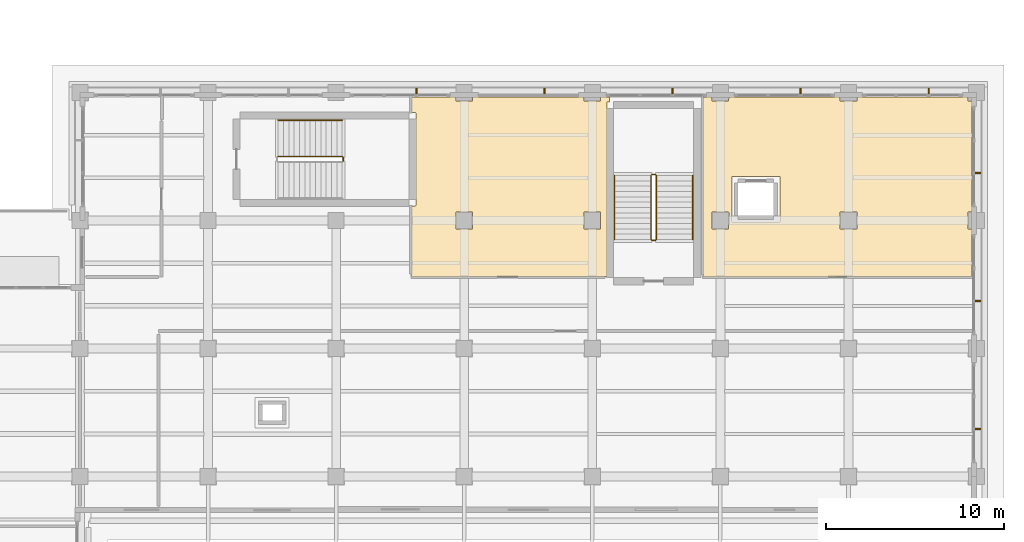
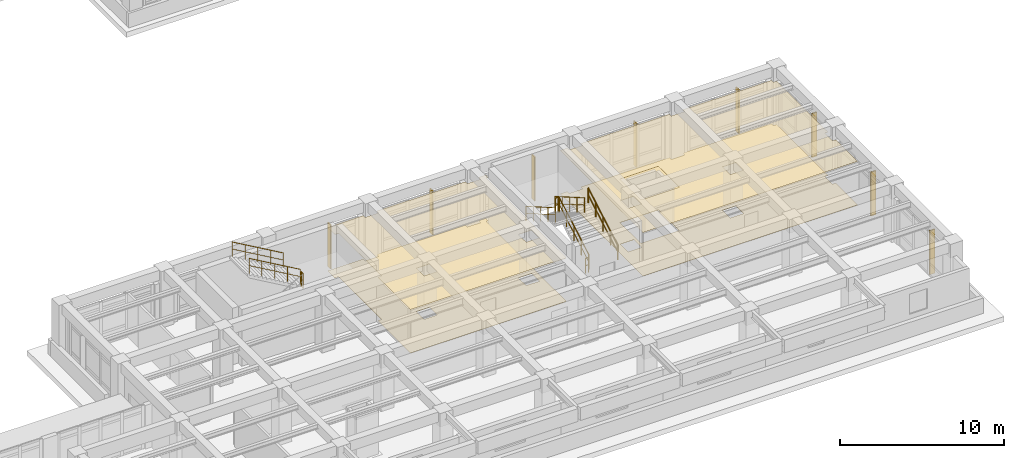
# One storey, part 68 of 69: 9 railings, 8 shading devices, 4 coverings.
"""IFC4 building model written with IfcOpenShell, lengths in metres."""

from ifc_helpers import new_model, si_unit, direction, frame, origin, origin_2d, place, context, subcontext, project, spatial, polyline, rectangle, circle, outline, extrude, material, layer, layer_set, material_profile, profile_set, type_object, element, save


model = new_model("IFC4")

# Units and contexts
model_context = context("Model", 3, precision=1e-05, world=origin(), true_north=direction((0.0, 1.0)))
body_context = subcontext(model_context, "Body", "Model", "MODEL_VIEW")
ifc_project = project(units=[si_unit("LENGTHUNIT", "METRE"), si_unit("AREAUNIT", "SQUARE_METRE"), si_unit("VOLUMEUNIT", "CUBIC_METRE"), si_unit("PLANEANGLEUNIT", "RADIAN"), si_unit("MASSUNIT", "GRAM", prefix="KILO")], contexts=[model_context])

# Site, building, storey
site_placement = place(None, origin())
site = spatial("IfcSite", under=ifc_project, at=site_placement, CompositionType="ELEMENT")
building_placement = place(site_placement, origin())
building = spatial("IfcBuilding", under=site, at=building_placement, Name="Solenvale Faculty of Natural Sciences", CompositionType="ELEMENT")
storey_placement = place(building_placement, frame((0.0, 0.0, 4.5)))
storey = spatial("IfcBuildingStorey", under=building, at=storey_placement, Name="L01", CompositionType="ELEMENT", Elevation=4.5)

# Coverings
ifc_material_1 = material(Name="Acoustic mineral-timber ceiling", Category="wood")
ifc_layer_1 = layer(ifc_material_1, 0.02490234375)
ifc_layer_set_1 = layer_set([ifc_layer_1], Name="Acoustic mineral-timber ceiling")
covering_type_1 = type_object("IfcCoveringType", Name="COV-CEIL-AC25", PredefinedType="CEILING", material=ifc_layer_set_1)
covering_1_placement = place(storey_placement, frame((0.0, 0.0, 3.235107421875)))
element("IfcCovering", 1, at=covering_1_placement, inside=storey, type_object=covering_type_1, Name="L01 Science Library Reference Reading Hall Acoustic Ceiling", PredefinedType="CEILING", context=body_context, shape_type="SweptSolid", body=[
    extrude(outline(polyline([(133.820068359375, 51.18994140625), (133.846923828125, 51.219970703125), (134.056884765625, 51.220947265625), (134.080078125, 51.25), (134.080078125, 56.450927734375), (134.054931640625, 56.47998046875), (133.846923828125, 56.47998046875), (133.821044921875, 56.5009765625), (133.820068359375, 57.330078125), (133.8359375, 57.35595703125), (136.298095703125, 57.360107421875), (136.323974609375, 57.3359375), (136.324951171875, 57.134033203125), (136.3359375, 57.125), (137.26708984375, 57.125), (137.27587890625, 57.3359375), (137.304931640625, 57.360107421875), (143.4951171875, 57.360107421875), (143.52392578125, 57.3359375), (143.52490234375, 57.134033203125), (143.535888671875, 57.125), (144.467041015625, 57.125), (144.47509765625, 57.3330078125), (144.493896484375, 57.35791015625), (144.949951171875, 57.360107421875), (144.97607421875, 57.343994140625), (144.97607421875, 57.095947265625), (144.952880859375, 57.080078125), (144.842041015625, 57.0791015625), (144.820068359375, 57.050048828125), (144.820068359375, 47.27001953125), (144.803955078125, 47.243896484375), (133.839111328125, 47.241943359375), (133.820068359375, 47.27001953125), (133.820068359375, 51.18994140625)]), holes=[polyline([(143.535888671875, 50.875), (143.52490234375, 50.864013671875), (143.528076171875, 49.927978515625), (144.471923828125, 49.927978515625), (144.471923828125, 50.8720703125), (143.535888671875, 50.875)]), polyline([(136.3359375, 50.875), (136.324951171875, 50.864013671875), (136.327880859375, 49.927978515625), (137.27197265625, 49.927978515625), (137.27197265625, 50.8720703125), (136.3359375, 50.875)])]), origin(), (0.0, 0.0, 1.0), 0.02490234375),
])
covering_2_placement = place(storey_placement, frame((0.0, 0.0, 3.235107421875)))
element("IfcCovering", 2, at=covering_2_placement, inside=storey, type_object=covering_type_1, Name="L01 Faculty Staff Office Acoustic Ceiling", PredefinedType="CEILING", context=body_context, shape_type="SweptSolid", body=[
    extrude(outline(polyline([(150.25, 47.239990234375), (150.22900390625, 47.2490234375), (150.219970703125, 47.27001953125), (150.219970703125, 57.330078125), (150.23291015625, 57.35498046875), (150.7060546875, 57.35791015625), (150.72509765625, 57.3330078125), (150.72509765625, 57.134033203125), (150.736083984375, 57.125), (151.6669921875, 57.125), (151.676025390625, 57.3359375), (151.705078125, 57.360107421875), (157.89501953125, 57.360107421875), (157.924072265625, 57.3359375), (157.93310546875, 57.125), (158.864013671875, 57.125), (158.875, 57.134033203125), (158.8759765625, 57.3359375), (158.905029296875, 57.360107421875), (165.094970703125, 57.360107421875), (165.125, 57.3330078125), (165.1279296875, 57.1279296875), (165.3330078125, 57.125), (165.35498046875, 57.112060546875), (165.360107421875, 50.905029296875), (165.3359375, 50.8759765625), (165.134033203125, 50.875), (165.125, 50.864013671875), (165.125, 49.93310546875), (165.3359375, 49.924072265625), (165.360107421875, 49.89794921875), (165.360107421875, 47.27001953125), (165.346923828125, 47.2451171875), (150.25, 47.239990234375)]), holes=[polyline([(157.93603515625, 50.875), (157.925048828125, 50.864013671875), (157.927978515625, 49.927978515625), (158.8720703125, 49.927978515625), (158.8720703125, 50.8720703125), (157.93603515625, 50.875)]), polyline([(154.554931640625, 52.85205078125), (154.544921875, 52.8720703125), (154.52490234375, 52.8798828125), (151.85498046875, 52.8720703125), (151.844970703125, 52.85009765625), (151.85302734375, 50.330078125), (151.875, 50.320068359375), (154.544921875, 50.327880859375), (154.554931640625, 50.35009765625), (154.554931640625, 52.85205078125)]), polyline([(151.675048828125, 50.864013671875), (151.6640625, 50.875), (150.72802734375, 50.8720703125), (150.72802734375, 49.927978515625), (151.672119140625, 49.927978515625), (151.675048828125, 50.864013671875)])]), origin(), (0.0, 0.0, 1.0), 0.02490234375),
])
ifc_material_2 = material(Name="Polished slate terrazzo flooring", Category="masonry")
ifc_layer_2 = layer(ifc_material_2, 0.01806640625)
ifc_layer_set_2 = layer_set([ifc_layer_2], Name="Polished slate terrazzo flooring")
covering_type_2 = type_object("IfcCoveringType", Name="COV-FLR-TRZ18", PredefinedType="FLOORING", material=ifc_layer_set_2)
covering_3_placement = place(storey_placement, origin())
element("IfcCovering", 3, at=covering_3_placement, inside=storey, type_object=covering_type_2, Name="L01 Science Library Reference Reading Hall Floor Finish", PredefinedType="FLOORING", context=body_context, shape_type="SweptSolid", body=[
    extrude(outline(polyline([(133.820068359375, 51.18994140625), (133.846923828125, 51.219970703125), (134.056884765625, 51.220947265625), (134.080078125, 51.25), (134.080078125, 56.450927734375), (134.054931640625, 56.47998046875), (133.846923828125, 56.47998046875), (133.821044921875, 56.5009765625), (133.820068359375, 57.330078125), (133.8359375, 57.35595703125), (136.298095703125, 57.360107421875), (136.323974609375, 57.3359375), (136.324951171875, 57.134033203125), (136.3359375, 57.125), (137.26708984375, 57.125), (137.27587890625, 57.3359375), (137.304931640625, 57.360107421875), (143.4951171875, 57.360107421875), (143.52392578125, 57.3359375), (143.52490234375, 57.134033203125), (143.535888671875, 57.125), (144.467041015625, 57.125), (144.47509765625, 57.3330078125), (144.493896484375, 57.35791015625), (144.949951171875, 57.360107421875), (144.97607421875, 57.343994140625), (144.97607421875, 57.095947265625), (144.952880859375, 57.080078125), (144.842041015625, 57.0791015625), (144.820068359375, 57.050048828125), (144.820068359375, 47.27001953125), (144.803955078125, 47.243896484375), (133.839111328125, 47.241943359375), (133.820068359375, 47.27001953125), (133.820068359375, 51.18994140625)]), holes=[polyline([(143.535888671875, 50.875), (143.52490234375, 50.864013671875), (143.528076171875, 49.927978515625), (144.471923828125, 49.927978515625), (144.471923828125, 50.8720703125), (143.535888671875, 50.875)]), polyline([(136.3359375, 50.875), (136.324951171875, 50.864013671875), (136.327880859375, 49.927978515625), (137.27197265625, 49.927978515625), (137.27197265625, 50.8720703125), (136.3359375, 50.875)])]), origin(), (0.0, 0.0, 1.0), 0.01806640625),
])
covering_4_placement = place(storey_placement, origin())
element("IfcCovering", 4, at=covering_4_placement, inside=storey, type_object=covering_type_2, Name="L01 Faculty Staff Office Floor Finish", PredefinedType="FLOORING", context=body_context, shape_type="SweptSolid", body=[
    extrude(outline(polyline([(150.25, 47.239990234375), (150.22900390625, 47.2490234375), (150.219970703125, 47.27001953125), (150.219970703125, 57.330078125), (150.23291015625, 57.35498046875), (150.7060546875, 57.35791015625), (150.72509765625, 57.3330078125), (150.72509765625, 57.134033203125), (150.736083984375, 57.125), (151.6669921875, 57.125), (151.676025390625, 57.3359375), (151.705078125, 57.360107421875), (157.89501953125, 57.360107421875), (157.924072265625, 57.3359375), (157.93310546875, 57.125), (158.864013671875, 57.125), (158.875, 57.134033203125), (158.8759765625, 57.3359375), (158.905029296875, 57.360107421875), (165.094970703125, 57.360107421875), (165.125, 57.3330078125), (165.1279296875, 57.1279296875), (165.3330078125, 57.125), (165.35498046875, 57.112060546875), (165.360107421875, 50.905029296875), (165.3359375, 50.8759765625), (165.134033203125, 50.875), (165.125, 50.864013671875), (165.125, 49.93310546875), (165.3359375, 49.924072265625), (165.360107421875, 49.89794921875), (165.360107421875, 47.27001953125), (165.346923828125, 47.2451171875), (150.25, 47.239990234375)]), holes=[polyline([(157.93603515625, 50.875), (157.925048828125, 50.864013671875), (157.927978515625, 49.927978515625), (158.8720703125, 49.927978515625), (158.8720703125, 50.8720703125), (157.93603515625, 50.875)]), polyline([(154.554931640625, 52.85205078125), (154.544921875, 52.8720703125), (154.52490234375, 52.8798828125), (151.85498046875, 52.8720703125), (151.844970703125, 52.85009765625), (151.85302734375, 50.330078125), (151.875, 50.320068359375), (154.544921875, 50.327880859375), (154.554931640625, 50.35009765625), (154.554931640625, 52.85205078125)]), polyline([(151.675048828125, 50.864013671875), (151.6640625, 50.875), (150.72802734375, 50.8720703125), (150.72802734375, 49.927978515625), (151.672119140625, 49.927978515625), (151.675048828125, 50.864013671875)])]), origin(), (0.0, 0.0, 1.0), 0.01806640625),
])

# Railings
ifc_material_3 = material(Name="Stainless steel Grade 304", Category="steel")
railing_type_1 = type_object("IfcRailingType", Name="RL-GRD-1100", PredefinedType="GUARDRAIL", material=ifc_material_3)
railing_1_placement = place(storey_placement, frame((147.60009765625, 49.340087890625, 0.173095703125)))
element("IfcRailing", 5, at=railing_1_placement, inside=storey, type_object=railing_type_1, Name="L01 ST-02 stair guard 1", PredefinedType="GUARDRAIL", context=body_context, shape_type="SweptSolid", body=[
    extrude(circle(Radius=0.02392578125, at=origin_2d()), frame((0.0, 0.0, 1.09619140625), z_axis=(0.0, 0.866178740119, 0.499734319579), x_axis=(-1.0, 0.0, 0.0)), (0.0, 0.0, 1.0), 4.156005859375),
    extrude(circle(Radius=0.01611328125, at=origin_2d()), frame((0.0, 0.0, 0.56005859375), z_axis=(0.0, 0.866178740119, 0.499734319579), x_axis=(-1.0, 0.0, 0.0)), (0.0, 0.0, 1.0), 4.156005859375),
    extrude(circle(Radius=0.02099609375, at=origin_2d()), origin(), (0.0, 0.0, 1.0), 1.072021484375),
    extrude(circle(Radius=0.02099609375, at=origin_2d()), frame((0.0, 0.89990234375, 0.519287109375)), (0.0, 0.0, 1.0), 1.072021484375),
    extrude(circle(Radius=0.02099609375, at=origin_2d()), frame((0.0, 1.7998046875, 1.03857421875)), (0.0, 0.0, 1.0), 1.072021484375),
    extrude(circle(Radius=0.02099609375, at=origin_2d()), frame((0.0, 2.699951171875, 1.5576171875)), (0.0, 0.0, 1.0), 1.072021484375),
    extrude(circle(Radius=0.02099609375, at=origin_2d()), frame((0.0, 3.599853515625, 2.076904296875)), (0.0, 0.0, 1.0), 1.072021484375),
])
railing_2_placement = place(storey_placement, frame((147.550048828125, 52.989990234375, 2.25)))
element("IfcRailing", 6, at=railing_2_placement, inside=storey, type_object=railing_type_1, Name="L01 ST-02 stair guard 2", PredefinedType="GUARDRAIL", context=body_context, shape_type="SweptSolid", body=[
    extrude(circle(Radius=0.02392578125, at=origin_2d()), frame((0.0, 0.0, 1.09619140625), z_axis=(-1.0, 0.0, 0.0), x_axis=(0.0, -1.0, 0.0)), (0.0, 0.0, 1.0), 0.199951171875),
    extrude(circle(Radius=0.01611328125, at=origin_2d()), frame((0.0, 0.0, 0.56005859375), z_axis=(-1.0, 0.0, 0.0), x_axis=(0.0, -1.0, 0.0)), (0.0, 0.0, 1.0), 0.199951171875),
    extrude(circle(Radius=0.02099609375, at=origin_2d()), origin(), (0.0, 0.0, 1.0), 1.072021484375),
    extrude(circle(Radius=0.02099609375, at=origin_2d()), frame((-0.199951171875, 0.0, 0.0)), (0.0, 0.0, 1.0), 1.072021484375),
])
railing_3_placement = place(storey_placement, frame((147.300048828125, 52.93994140625, 2.423095703125)))
element("IfcRailing", 7, at=railing_3_placement, inside=storey, type_object=railing_type_1, Name="L01 ST-02 stair guard 3", PredefinedType="GUARDRAIL", context=body_context, shape_type="SweptSolid", body=[
    extrude(circle(Radius=0.02392578125, at=origin_2d()), frame((0.0, 0.0, 1.09619140625), z_axis=(0.0, -0.866178740119, 0.499734319579), x_axis=(1.0, 0.0, 0.0)), (0.0, 0.0, 1.0), 4.156005859375),
    extrude(circle(Radius=0.01611328125, at=origin_2d()), frame((0.0, 0.0, 0.56005859375), z_axis=(0.0, -0.866178740119, 0.499734319579), x_axis=(1.0, 0.0, 0.0)), (0.0, 0.0, 1.0), 4.156005859375),
    extrude(circle(Radius=0.02099609375, at=origin_2d()), origin(), (0.0, 0.0, 1.0), 1.072021484375),
    extrude(circle(Radius=0.02099609375, at=origin_2d()), frame((0.0, -0.89990234375, 0.519287109375)), (0.0, 0.0, 1.0), 1.072021484375),
    extrude(circle(Radius=0.02099609375, at=origin_2d()), frame((0.0, -1.7998046875, 1.03857421875)), (0.0, 0.0, 1.0), 1.072021484375),
    extrude(circle(Radius=0.02099609375, at=origin_2d()), frame((0.0, -2.699951171875, 1.5576171875)), (0.0, 0.0, 1.0), 1.072021484375),
    extrude(circle(Radius=0.02099609375, at=origin_2d()), frame((0.0, -3.599853515625, 2.076904296875)), (0.0, 0.0, 1.0), 1.072021484375),
])
railing_4_placement = place(storey_placement, frame((147.550048828125, 49.2900390625, 0.0)))
element("IfcRailing", 8, at=railing_4_placement, inside=storey, type_object=railing_type_1, Name="L01 ST-02 stair guard 4", PredefinedType="GUARDRAIL", context=body_context, shape_type="SweptSolid", body=[
    extrude(circle(Radius=0.02392578125, at=origin_2d()), frame((0.0, 0.0, 1.09619140625), z_axis=(-1.0, 0.0, 0.0), x_axis=(0.0, -1.0, 0.0)), (0.0, 0.0, 1.0), 0.199951171875),
    extrude(circle(Radius=0.01611328125, at=origin_2d()), frame((0.0, 0.0, 0.56005859375), z_axis=(-1.0, 0.0, 0.0), x_axis=(0.0, -1.0, 0.0)), (0.0, 0.0, 1.0), 0.199951171875),
    extrude(circle(Radius=0.02099609375, at=origin_2d()), origin(), (0.0, 0.0, 1.0), 1.072021484375),
    extrude(circle(Radius=0.02099609375, at=origin_2d()), frame((-0.199951171875, 0.0, 0.0)), (0.0, 0.0, 1.0), 1.072021484375),
])
railing_5_placement = place(storey_placement, frame((129.989990234375, 53.75, 2.25)))
element("IfcRailing", 9, at=railing_5_placement, inside=storey, type_object=railing_type_1, Name="L01 ST-08 stair guard 2", PredefinedType="GUARDRAIL", context=body_context, shape_type="SweptSolid", body=[
    extrude(circle(Radius=0.02392578125, at=origin_2d()), frame((0.0, 0.0, 1.09619140625), z_axis=(0.0, 1.0, 0.0), x_axis=(-1.0, 0.0, 0.0)), (0.0, 0.0, 1.0), 0.199951171875),
    extrude(circle(Radius=0.01611328125, at=origin_2d()), frame((0.0, 0.0, 0.56005859375), z_axis=(0.0, 1.0, 0.0), x_axis=(-1.0, 0.0, 0.0)), (0.0, 0.0, 1.0), 0.199951171875),
    extrude(circle(Radius=0.02099609375, at=origin_2d()), origin(), (0.0, 0.0, 1.0), 1.072021484375),
    extrude(circle(Radius=0.02099609375, at=origin_2d()), frame((0.0, 0.199951171875, 0.0)), (0.0, 0.0, 1.0), 1.072021484375),
])
railing_6_placement = place(storey_placement, frame((129.93994140625, 54.0, 2.423095703125)))
element("IfcRailing", 10, at=railing_6_placement, inside=storey, type_object=railing_type_1, Name="L01 ST-08 stair guard 3", PredefinedType="GUARDRAIL", context=body_context, shape_type="SweptSolid", body=[
    extrude(circle(Radius=0.02392578125, at=origin_2d()), frame((0.0, 0.0, 1.09619140625), z_axis=(-0.866178740119, 0.0, 0.499734319579), x_axis=(0.0, -1.0, 0.0)), (0.0, 0.0, 1.0), 4.156005859375),
    extrude(circle(Radius=0.01611328125, at=origin_2d()), frame((0.0, 0.0, 0.56005859375), z_axis=(-0.866178740119, 0.0, 0.499734319579), x_axis=(0.0, -1.0, 0.0)), (0.0, 0.0, 1.0), 4.156005859375),
    extrude(circle(Radius=0.02099609375, at=origin_2d()), origin(), (0.0, 0.0, 1.0), 1.072021484375),
    extrude(circle(Radius=0.02099609375, at=origin_2d()), frame((-0.89990234375, 0.0, 0.519287109375)), (0.0, 0.0, 1.0), 1.072021484375),
    extrude(circle(Radius=0.02099609375, at=origin_2d()), frame((-1.7998046875, 0.0, 1.03857421875)), (0.0, 0.0, 1.0), 1.072021484375),
    extrude(circle(Radius=0.02099609375, at=origin_2d()), frame((-2.699951171875, 0.0, 1.5576171875)), (0.0, 0.0, 1.0), 1.072021484375),
    extrude(circle(Radius=0.02099609375, at=origin_2d()), frame((-3.599853515625, 0.0, 2.076904296875)), (0.0, 0.0, 1.0), 1.072021484375),
])
railing_type_2 = type_object("IfcRailingType", Name="RL-HND-900", PredefinedType="HANDRAIL", material=ifc_material_3)
railing_7_placement = place(storey_placement, frame((149.64990234375, 49.340087890625, 0.173095703125)))
element("IfcRailing", 11, at=railing_7_placement, inside=storey, type_object=railing_type_2, Name="L01 ST-02 stair handrail 1", PredefinedType="HANDRAIL", context=body_context, shape_type="SweptSolid", body=[
    extrude(circle(Radius=0.02392578125, at=origin_2d()), frame((0.0, 0.0, 1.0732421875), z_axis=(0.0, 0.866178740119, 0.499734319579), x_axis=(-1.0, 0.0, 0.0)), (0.0, 0.0, 1.0), 4.156005859375),
    extrude(circle(Radius=0.01611328125, at=origin_2d()), frame((0.0, 0.0, 0.548583984375), z_axis=(0.0, 0.866178740119, 0.499734319579), x_axis=(-1.0, 0.0, 0.0)), (0.0, 0.0, 1.0), 4.156005859375),
    extrude(circle(Radius=0.02099609375, at=origin_2d()), origin(), (0.0, 0.0, 1.0), 1.049072265625),
    extrude(circle(Radius=0.02099609375, at=origin_2d()), frame((0.0, 0.89990234375, 0.519287109375)), (0.0, 0.0, 1.0), 1.049072265625),
    extrude(circle(Radius=0.02099609375, at=origin_2d()), frame((0.0, 1.7998046875, 1.03857421875)), (0.0, 0.0, 1.0), 1.049072265625),
    extrude(circle(Radius=0.02099609375, at=origin_2d()), frame((0.0, 2.699951171875, 1.5576171875)), (0.0, 0.0, 1.0), 1.049072265625),
    extrude(circle(Radius=0.02099609375, at=origin_2d()), frame((0.0, 3.599853515625, 2.076904296875)), (0.0, 0.0, 1.0), 1.049072265625),
])
railing_8_placement = place(storey_placement, frame((145.25, 52.93994140625, 2.423095703125)))
element("IfcRailing", 12, at=railing_8_placement, inside=storey, type_object=railing_type_2, Name="L01 ST-02 stair handrail 2", PredefinedType="HANDRAIL", context=body_context, shape_type="SweptSolid", body=[
    extrude(circle(Radius=0.02392578125, at=origin_2d()), frame((0.0, 0.0, 1.0732421875), z_axis=(0.0, -0.866178740119, 0.499734319579), x_axis=(1.0, 0.0, 0.0)), (0.0, 0.0, 1.0), 4.156005859375),
    extrude(circle(Radius=0.01611328125, at=origin_2d()), frame((0.0, 0.0, 0.548583984375), z_axis=(0.0, -0.866178740119, 0.499734319579), x_axis=(1.0, 0.0, 0.0)), (0.0, 0.0, 1.0), 4.156005859375),
    extrude(circle(Radius=0.02099609375, at=origin_2d()), origin(), (0.0, 0.0, 1.0), 1.049072265625),
    extrude(circle(Radius=0.02099609375, at=origin_2d()), frame((0.0, -0.89990234375, 0.519287109375)), (0.0, 0.0, 1.0), 1.049072265625),
    extrude(circle(Radius=0.02099609375, at=origin_2d()), frame((0.0, -1.7998046875, 1.03857421875)), (0.0, 0.0, 1.0), 1.049072265625),
    extrude(circle(Radius=0.02099609375, at=origin_2d()), frame((0.0, -2.699951171875, 1.5576171875)), (0.0, 0.0, 1.0), 1.049072265625),
    extrude(circle(Radius=0.02099609375, at=origin_2d()), frame((0.0, -3.599853515625, 2.076904296875)), (0.0, 0.0, 1.0), 1.049072265625),
])
railing_9_placement = place(storey_placement, frame((129.93994140625, 56.050048828125, 2.423095703125)))
element("IfcRailing", 13, at=railing_9_placement, inside=storey, type_object=railing_type_2, Name="L01 ST-08 stair handrail 2", PredefinedType="HANDRAIL", context=body_context, shape_type="SweptSolid", body=[
    extrude(circle(Radius=0.02392578125, at=origin_2d()), frame((0.0, 0.0, 1.0732421875), z_axis=(-0.866178740119, 0.0, 0.499734319579), x_axis=(0.0, -1.0, 0.0)), (0.0, 0.0, 1.0), 4.156005859375),
    extrude(circle(Radius=0.01611328125, at=origin_2d()), frame((0.0, 0.0, 0.548583984375), z_axis=(-0.866178740119, 0.0, 0.499734319579), x_axis=(0.0, -1.0, 0.0)), (0.0, 0.0, 1.0), 4.156005859375),
    extrude(circle(Radius=0.02099609375, at=origin_2d()), origin(), (0.0, 0.0, 1.0), 1.049072265625),
    extrude(circle(Radius=0.02099609375, at=origin_2d()), frame((-0.89990234375, 0.0, 0.519287109375)), (0.0, 0.0, 1.0), 1.049072265625),
    extrude(circle(Radius=0.02099609375, at=origin_2d()), frame((-1.7998046875, 0.0, 1.03857421875)), (0.0, 0.0, 1.0), 1.049072265625),
    extrude(circle(Radius=0.02099609375, at=origin_2d()), frame((-2.699951171875, 0.0, 1.5576171875)), (0.0, 0.0, 1.0), 1.049072265625),
    extrude(circle(Radius=0.02099609375, at=origin_2d()), frame((-3.599853515625, 0.0, 2.076904296875)), (0.0, 0.0, 1.0), 1.049072265625),
])

# Shading devices
ifc_material_4 = material(Name="Anodised bronze aluminium", Category="aluminium")
ifc_material_profile = material_profile(ifc_material_4, rectangle(XDim=0.080078125, YDim=0.360107421875, at=origin_2d()), Name="ALU-FIN-80x360")
ifc_profile_set = profile_set([ifc_material_profile], Name="Anodised bronze aluminium")
shading_device_type = type_object("IfcShadingDeviceType", Name="SHD-FIN-360", PredefinedType="JALOUSIE", material=ifc_profile_set)
for number, where, z_axis, x_axis, name in (
    (14, (165.659912109375, 38.683349609375, -0.02001953125), (0.0, 0.0, 1.0), (0.0, 1.0, 0.0), "L01 Vertical Brise-Soleil Fin 8.2"),
    (15, (165.659912109375, 45.88330078125, -0.02001953125), (0.0, 0.0, 1.0), (0.0, 1.0, 0.0), "L01 Vertical Brise-Soleil Fin 8.3"),
    (16, (165.659912109375, 53.083251953125, -0.02001953125), (0.0, 0.0, 1.0), (0.0, 1.0, 0.0), "L01 Vertical Brise-Soleil Fin 8.4"),
    (17, (162.916748046875, 57.659912109375, -0.02001953125), (0.0, 0.0, 1.0), (1.0, 0.0, 0.0), "L01 Vertical Brise-Soleil Fin 9.1"),
    (18, (155.716552734375, 57.659912109375, -0.02001953125), (0.0, 0.0, 1.0), (1.0, 0.0, 0.0), "L01 Vertical Brise-Soleil Fin 9.2"),
    (19, (148.5166015625, 57.659912109375, -0.02001953125), (0.0, 0.0, 1.0), (1.0, 0.0, 0.0), "L01 Vertical Brise-Soleil Fin 9.3"),
    (20, (141.316650390625, 57.659912109375, -0.02001953125), (0.0, 0.0, 1.0), (1.0, 0.0, 0.0), "L01 Vertical Brise-Soleil Fin 9.4"),
    (21, (134.11669921875, 57.659912109375, -0.02001953125), (0.0, 0.0, 1.0), (1.0, 0.0, 0.0), "L01 Vertical Brise-Soleil Fin 9.5"),
):
    element("IfcShadingDevice", number, at=place(storey_placement, frame(where, z_axis=z_axis, x_axis=x_axis)), inside=storey, type_object=shading_device_type, Name=name, PredefinedType="JALOUSIE", context=body_context, shape_type="SweptSolid", body=[
        extrude(rectangle(XDim=0.080078125, YDim=0.360107421875, at=origin_2d()), origin(), (0.0, 0.0, 1.0), 3.280029296875),
    ])

save(model, "model.ifc")
